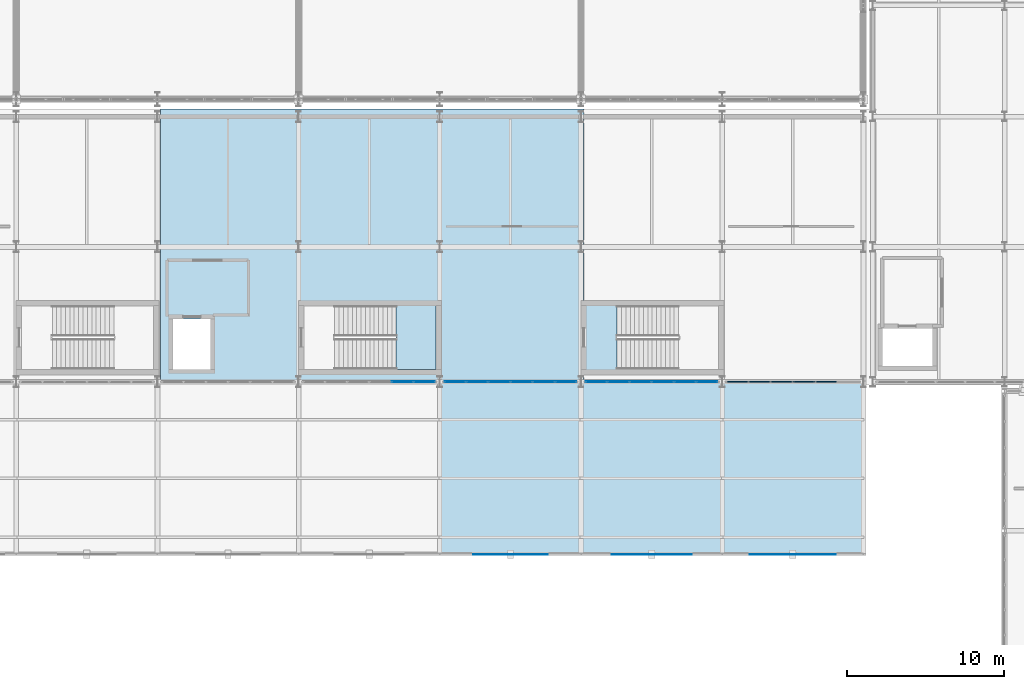
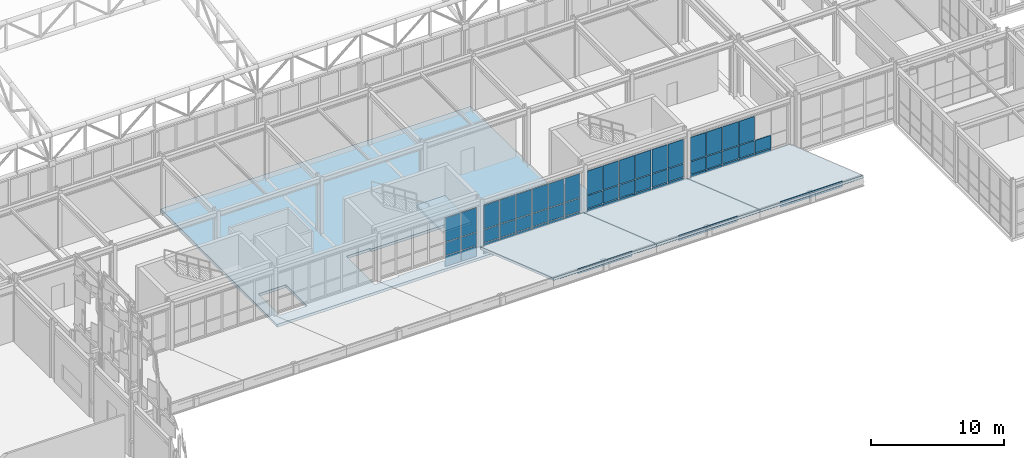
# One storey, part 183 of 239: 59 plates, 6 slabs, 6 elements without a shape of their own.
"""IFC4 building model written with IfcOpenShell, lengths in metres."""

from ifc_helpers import new_model, si_unit, direction, frame, origin, origin_2d, place, context, subcontext, project, spatial, polyline, rectangle, outline, extrude, material, layer, layer_set, type_object, element, aggregate, save


model = new_model("IFC4")

# Units and contexts
model_context = context("Model", 3, precision=1e-05, world=origin(), true_north=direction((0.0, 1.0)))
body_context = subcontext(model_context, "Body", "Model", "MODEL_VIEW")
ifc_project = project(units=[si_unit("LENGTHUNIT", "METRE"), si_unit("AREAUNIT", "SQUARE_METRE"), si_unit("VOLUMEUNIT", "CUBIC_METRE"), si_unit("PLANEANGLEUNIT", "RADIAN"), si_unit("MASSUNIT", "GRAM", prefix="KILO")], contexts=[model_context])

# Site, building, storey
site_placement = place(None, origin())
site = spatial("IfcSite", under=ifc_project, at=site_placement, CompositionType="ELEMENT")
building_placement = place(site_placement, origin())
building = spatial("IfcBuilding", under=site, at=building_placement, Name="Kaldris Quays Convention Centre", CompositionType="ELEMENT")
storey_placement = place(building_placement, frame((0.0, 0.0, 11.39990234375)))
storey = spatial("IfcBuildingStorey", under=building, at=storey_placement, Name="L02", CompositionType="ELEMENT", Elevation=11.39990234375)

# Curtain wall, plates
ifc_material_1 = material(Name="Anodized aluminium AW-6060 and triple glazing", Category="aluminium")
curtain_wall_type = type_object("IfcCurtainWallType", Name="UNITISED CURTAIN WALL CW04", PredefinedType="NOTDEFINED", material=ifc_material_1)
curtain_wall_1_placement = place(storey_placement, origin())
curtain_wall_1 = element("IfcCurtainWall", 1, at=curtain_wall_1_placement, inside=storey, type_object=curtain_wall_type, Name="L02 Unitised Curtain Wall CW04 117", PredefinedType="NOTDEFINED")
ifc_material_2 = material(Name="Triple low-E insulated glazing", Category="glass")
plate_type_1 = type_object("IfcPlateType", Name="CURTAIN GLAZING PANEL CWP5", PredefinedType="CURTAIN_PANEL", material=ifc_material_2)
plate_1_placement = place(storey_placement, frame((116.625, 38.0, 0.06005859375), z_axis=(0.0, 0.0, 1.0), x_axis=(1.0, 0.0, 0.0)))
plate_1 = element("IfcPlate", 2, at=plate_1_placement, type_object=plate_type_1, Name="CW04 panel 5.1", PredefinedType="CURTAIN_PANEL", context=body_context, shape_type="SweptSolid", body=[
    extrude(rectangle(XDim=1.356689453125, YDim=0.049072265625, at=origin_2d()), origin(), (0.0, 0.0, 1.0), 0.9599609375),
])
plate_2_placement = place(storey_placement, frame((116.625, 38.0, 1.080078125), z_axis=(0.0, 0.0, 1.0), x_axis=(1.0, 0.0, 0.0)))
plate_2 = element("IfcPlate", 3, at=plate_2_placement, type_object=plate_type_1, Name="CW04 panel 5.2", PredefinedType="CURTAIN_PANEL", context=body_context, shape_type="SweptSolid", body=[
    extrude(rectangle(XDim=1.356689453125, YDim=0.049072265625, at=origin_2d()), origin(), (0.0, 0.0, 1.0), 1.18994140625),
])
plate_3_placement = place(storey_placement, frame((116.625, 38.0, 2.330078125), z_axis=(0.0, 0.0, 1.0), x_axis=(1.0, 0.0, 0.0)))
plate_3 = element("IfcPlate", 4, at=plate_3_placement, type_object=plate_type_1, Name="CW04 panel 5.3", PredefinedType="CURTAIN_PANEL", context=body_context, shape_type="SweptSolid", body=[
    extrude(rectangle(XDim=1.356689453125, YDim=0.049072265625, at=origin_2d()), origin(), (0.0, 0.0, 1.0), 2.2099609375),
])
plate_4_placement = place(storey_placement, frame((118.026611328125, 38.0, 0.06005859375), z_axis=(0.0, 0.0, 1.0), x_axis=(1.0, 0.0, 0.0)))
plate_4 = element("IfcPlate", 5, at=plate_4_placement, type_object=plate_type_1, Name="CW04 panel 6.1", PredefinedType="CURTAIN_PANEL", context=body_context, shape_type="SweptSolid", body=[
    extrude(rectangle(XDim=1.32666015625, YDim=0.049072265625, at=origin_2d()), origin(), (0.0, 0.0, 1.0), 0.9599609375),
])
plate_5_placement = place(storey_placement, frame((118.026611328125, 38.0, 1.080078125), z_axis=(0.0, 0.0, 1.0), x_axis=(1.0, 0.0, 0.0)))
plate_5 = element("IfcPlate", 6, at=plate_5_placement, type_object=plate_type_1, Name="CW04 panel 6.2", PredefinedType="CURTAIN_PANEL", context=body_context, shape_type="SweptSolid", body=[
    extrude(rectangle(XDim=1.32666015625, YDim=0.049072265625, at=origin_2d()), origin(), (0.0, 0.0, 1.0), 1.18994140625),
])
plate_6_placement = place(storey_placement, frame((118.026611328125, 38.0, 2.330078125), z_axis=(0.0, 0.0, 1.0), x_axis=(1.0, 0.0, 0.0)))
plate_6 = element("IfcPlate", 7, at=plate_6_placement, type_object=plate_type_1, Name="CW04 panel 6.3", PredefinedType="CURTAIN_PANEL", context=body_context, shape_type="SweptSolid", body=[
    extrude(rectangle(XDim=1.32666015625, YDim=0.049072265625, at=origin_2d()), origin(), (0.0, 0.0, 1.0), 2.2099609375),
])
aggregate(curtain_wall_1, [plate_1, plate_2, plate_3, plate_4, plate_5, plate_6])

curtain_wall_2_placement = place(storey_placement, origin())
curtain_wall_2 = element("IfcCurtainWall", 8, at=curtain_wall_2_placement, inside=storey, type_object=curtain_wall_type, Name="L02 Unitised Curtain Wall CW04 118", PredefinedType="NOTDEFINED")
plate_type_2 = type_object("IfcPlateType", Name="CURTAIN GLAZING PANEL CWP6", PredefinedType="CURTAIN_PANEL", material=ifc_material_2)
plate_7_placement = place(storey_placement, frame((119.973388671875, 38.0, 0.06005859375), z_axis=(0.0, 0.0, 1.0), x_axis=(1.0, 0.0, 0.0)))
plate_7 = element("IfcPlate", 9, at=plate_7_placement, type_object=plate_type_2, Name="CW04 panel 1.1", PredefinedType="CURTAIN_PANEL", context=body_context, shape_type="SweptSolid", body=[
    extrude(rectangle(XDim=1.32666015625, YDim=0.053955078125, at=origin_2d()), origin(), (0.0, 0.0, 1.0), 0.9599609375),
])
plate_8_placement = place(storey_placement, frame((119.973388671875, 38.0, 1.080078125), z_axis=(0.0, 0.0, 1.0), x_axis=(1.0, 0.0, 0.0)))
plate_8 = element("IfcPlate", 10, at=plate_8_placement, type_object=plate_type_2, Name="CW04 panel 1.2", PredefinedType="CURTAIN_PANEL", context=body_context, shape_type="SweptSolid", body=[
    extrude(rectangle(XDim=1.32666015625, YDim=0.053955078125, at=origin_2d()), origin(), (0.0, 0.0, 1.0), 1.18994140625),
])
plate_9_placement = place(storey_placement, frame((119.973388671875, 38.0, 2.330078125), z_axis=(0.0, 0.0, 1.0), x_axis=(1.0, 0.0, 0.0)))
plate_9 = element("IfcPlate", 11, at=plate_9_placement, type_object=plate_type_2, Name="CW04 panel 1.3", PredefinedType="CURTAIN_PANEL", context=body_context, shape_type="SweptSolid", body=[
    extrude(rectangle(XDim=1.32666015625, YDim=0.053955078125, at=origin_2d()), origin(), (0.0, 0.0, 1.0), 2.2099609375),
])
plate_10_placement = place(storey_placement, frame((121.375, 38.0, 0.06005859375), z_axis=(0.0, 0.0, 1.0), x_axis=(1.0, 0.0, 0.0)))
plate_10 = element("IfcPlate", 12, at=plate_10_placement, type_object=plate_type_2, Name="CW04 panel 2.1", PredefinedType="CURTAIN_PANEL", context=body_context, shape_type="SweptSolid", body=[
    extrude(rectangle(XDim=1.356689453125, YDim=0.053955078125, at=origin_2d()), origin(), (0.0, 0.0, 1.0), 0.9599609375),
])
plate_11_placement = place(storey_placement, frame((121.375, 38.0, 1.080078125), z_axis=(0.0, 0.0, 1.0), x_axis=(1.0, 0.0, 0.0)))
plate_11 = element("IfcPlate", 13, at=plate_11_placement, type_object=plate_type_2, Name="CW04 panel 2.2", PredefinedType="CURTAIN_PANEL", context=body_context, shape_type="SweptSolid", body=[
    extrude(rectangle(XDim=1.356689453125, YDim=0.053955078125, at=origin_2d()), origin(), (0.0, 0.0, 1.0), 1.18994140625),
])
plate_12_placement = place(storey_placement, frame((121.375, 38.0, 2.330078125), z_axis=(0.0, 0.0, 1.0), x_axis=(1.0, 0.0, 0.0)))
plate_12 = element("IfcPlate", 14, at=plate_12_placement, type_object=plate_type_2, Name="CW04 panel 2.3", PredefinedType="CURTAIN_PANEL", context=body_context, shape_type="SweptSolid", body=[
    extrude(rectangle(XDim=1.356689453125, YDim=0.053955078125, at=origin_2d()), origin(), (0.0, 0.0, 1.0), 2.2099609375),
])
plate_13_placement = place(storey_placement, frame((122.791748046875, 38.0, 0.06005859375), z_axis=(0.0, 0.0, 1.0), x_axis=(1.0, 0.0, 0.0)))
plate_13 = element("IfcPlate", 15, at=plate_13_placement, type_object=plate_type_2, Name="CW04 panel 3.1", PredefinedType="CURTAIN_PANEL", context=body_context, shape_type="SweptSolid", body=[
    extrude(rectangle(XDim=1.356689453125, YDim=0.053955078125, at=origin_2d()), origin(), (0.0, 0.0, 1.0), 0.9599609375),
])
plate_14_placement = place(storey_placement, frame((122.791748046875, 38.0, 1.080078125), z_axis=(0.0, 0.0, 1.0), x_axis=(1.0, 0.0, 0.0)))
plate_14 = element("IfcPlate", 16, at=plate_14_placement, type_object=plate_type_2, Name="CW04 panel 3.2", PredefinedType="CURTAIN_PANEL", context=body_context, shape_type="SweptSolid", body=[
    extrude(rectangle(XDim=1.356689453125, YDim=0.053955078125, at=origin_2d()), origin(), (0.0, 0.0, 1.0), 1.18994140625),
])
plate_15_placement = place(storey_placement, frame((122.791748046875, 38.0, 2.330078125), z_axis=(0.0, 0.0, 1.0), x_axis=(1.0, 0.0, 0.0)))
plate_15 = element("IfcPlate", 17, at=plate_15_placement, type_object=plate_type_2, Name="CW04 panel 3.3", PredefinedType="CURTAIN_PANEL", context=body_context, shape_type="SweptSolid", body=[
    extrude(rectangle(XDim=1.356689453125, YDim=0.053955078125, at=origin_2d()), origin(), (0.0, 0.0, 1.0), 2.2099609375),
])
plate_16_placement = place(storey_placement, frame((124.208251953125, 38.0, 0.06005859375), z_axis=(0.0, 0.0, 1.0), x_axis=(1.0, 0.0, 0.0)))
plate_16 = element("IfcPlate", 18, at=plate_16_placement, type_object=plate_type_2, Name="CW04 panel 4.1", PredefinedType="CURTAIN_PANEL", context=body_context, shape_type="SweptSolid", body=[
    extrude(rectangle(XDim=1.356689453125, YDim=0.053955078125, at=origin_2d()), origin(), (0.0, 0.0, 1.0), 0.9599609375),
])
plate_17_placement = place(storey_placement, frame((124.208251953125, 38.0, 1.080078125), z_axis=(0.0, 0.0, 1.0), x_axis=(1.0, 0.0, 0.0)))
plate_17 = element("IfcPlate", 19, at=plate_17_placement, type_object=plate_type_2, Name="CW04 panel 4.2", PredefinedType="CURTAIN_PANEL", context=body_context, shape_type="SweptSolid", body=[
    extrude(rectangle(XDim=1.356689453125, YDim=0.053955078125, at=origin_2d()), origin(), (0.0, 0.0, 1.0), 1.18994140625),
])
plate_18_placement = place(storey_placement, frame((124.208251953125, 38.0, 2.330078125), z_axis=(0.0, 0.0, 1.0), x_axis=(1.0, 0.0, 0.0)))
plate_18 = element("IfcPlate", 20, at=plate_18_placement, type_object=plate_type_2, Name="CW04 panel 4.3", PredefinedType="CURTAIN_PANEL", context=body_context, shape_type="SweptSolid", body=[
    extrude(rectangle(XDim=1.356689453125, YDim=0.053955078125, at=origin_2d()), origin(), (0.0, 0.0, 1.0), 2.2099609375),
])
plate_19_placement = place(storey_placement, frame((125.625, 38.0, 0.06005859375), z_axis=(0.0, 0.0, 1.0), x_axis=(1.0, 0.0, 0.0)))
plate_19 = element("IfcPlate", 21, at=plate_19_placement, type_object=plate_type_2, Name="CW04 panel 5.1", PredefinedType="CURTAIN_PANEL", context=body_context, shape_type="SweptSolid", body=[
    extrude(rectangle(XDim=1.356689453125, YDim=0.053955078125, at=origin_2d()), origin(), (0.0, 0.0, 1.0), 0.9599609375),
])
plate_20_placement = place(storey_placement, frame((125.625, 38.0, 1.080078125), z_axis=(0.0, 0.0, 1.0), x_axis=(1.0, 0.0, 0.0)))
plate_20 = element("IfcPlate", 22, at=plate_20_placement, type_object=plate_type_2, Name="CW04 panel 5.2", PredefinedType="CURTAIN_PANEL", context=body_context, shape_type="SweptSolid", body=[
    extrude(rectangle(XDim=1.356689453125, YDim=0.053955078125, at=origin_2d()), origin(), (0.0, 0.0, 1.0), 1.18994140625),
])
plate_21_placement = place(storey_placement, frame((125.625, 38.0, 2.330078125), z_axis=(0.0, 0.0, 1.0), x_axis=(1.0, 0.0, 0.0)))
plate_21 = element("IfcPlate", 23, at=plate_21_placement, type_object=plate_type_2, Name="CW04 panel 5.3", PredefinedType="CURTAIN_PANEL", context=body_context, shape_type="SweptSolid", body=[
    extrude(rectangle(XDim=1.356689453125, YDim=0.053955078125, at=origin_2d()), origin(), (0.0, 0.0, 1.0), 2.2099609375),
])
plate_22_placement = place(storey_placement, frame((127.026611328125, 38.0, 0.06005859375), z_axis=(0.0, 0.0, 1.0), x_axis=(1.0, 0.0, 0.0)))
plate_22 = element("IfcPlate", 24, at=plate_22_placement, type_object=plate_type_2, Name="CW04 panel 6.1", PredefinedType="CURTAIN_PANEL", context=body_context, shape_type="SweptSolid", body=[
    extrude(rectangle(XDim=1.32666015625, YDim=0.053955078125, at=origin_2d()), origin(), (0.0, 0.0, 1.0), 0.9599609375),
])
plate_23_placement = place(storey_placement, frame((127.026611328125, 38.0, 1.080078125), z_axis=(0.0, 0.0, 1.0), x_axis=(1.0, 0.0, 0.0)))
plate_23 = element("IfcPlate", 25, at=plate_23_placement, type_object=plate_type_2, Name="CW04 panel 6.2", PredefinedType="CURTAIN_PANEL", context=body_context, shape_type="SweptSolid", body=[
    extrude(rectangle(XDim=1.32666015625, YDim=0.053955078125, at=origin_2d()), origin(), (0.0, 0.0, 1.0), 1.18994140625),
])
plate_24_placement = place(storey_placement, frame((127.026611328125, 38.0, 2.330078125), z_axis=(0.0, 0.0, 1.0), x_axis=(1.0, 0.0, 0.0)))
plate_24 = element("IfcPlate", 26, at=plate_24_placement, type_object=plate_type_2, Name="CW04 panel 6.3", PredefinedType="CURTAIN_PANEL", context=body_context, shape_type="SweptSolid", body=[
    extrude(rectangle(XDim=1.32666015625, YDim=0.053955078125, at=origin_2d()), origin(), (0.0, 0.0, 1.0), 2.2099609375),
])
aggregate(curtain_wall_2, [plate_7, plate_8, plate_9, plate_10, plate_11, plate_12, plate_13, plate_14, plate_15, plate_16, plate_17, plate_18, plate_19, plate_20, plate_21, plate_22, plate_23, plate_24])

curtain_wall_3_placement = place(storey_placement, origin())
curtain_wall_3 = element("IfcCurtainWall", 27, at=curtain_wall_3_placement, inside=storey, type_object=curtain_wall_type, Name="L02 Unitised Curtain Wall CW04 119", PredefinedType="NOTDEFINED")
plate_type_3 = type_object("IfcPlateType", Name="CURTAIN GLAZING PANEL CWP7", PredefinedType="CURTAIN_PANEL", material=ifc_material_2)
plate_25_placement = place(storey_placement, frame((128.973388671875, 38.0, 0.06005859375), z_axis=(0.0, 0.0, 1.0), x_axis=(1.0, 0.0, 0.0)))
plate_25 = element("IfcPlate", 28, at=plate_25_placement, type_object=plate_type_3, Name="CW04 panel 1.1", PredefinedType="CURTAIN_PANEL", context=body_context, shape_type="SweptSolid", body=[
    extrude(rectangle(XDim=1.32666015625, YDim=0.05908203125, at=origin_2d()), origin(), (0.0, 0.0, 1.0), 0.9599609375),
])
plate_26_placement = place(storey_placement, frame((128.973388671875, 38.0, 1.080078125), z_axis=(0.0, 0.0, 1.0), x_axis=(1.0, 0.0, 0.0)))
plate_26 = element("IfcPlate", 29, at=plate_26_placement, type_object=plate_type_3, Name="CW04 panel 1.2", PredefinedType="CURTAIN_PANEL", context=body_context, shape_type="SweptSolid", body=[
    extrude(rectangle(XDim=1.32666015625, YDim=0.05908203125, at=origin_2d()), origin(), (0.0, 0.0, 1.0), 1.18994140625),
])
plate_27_placement = place(storey_placement, frame((128.973388671875, 38.0, 2.330078125), z_axis=(0.0, 0.0, 1.0), x_axis=(1.0, 0.0, 0.0)))
plate_27 = element("IfcPlate", 30, at=plate_27_placement, type_object=plate_type_3, Name="CW04 panel 1.3", PredefinedType="CURTAIN_PANEL", context=body_context, shape_type="SweptSolid", body=[
    extrude(rectangle(XDim=1.32666015625, YDim=0.05908203125, at=origin_2d()), origin(), (0.0, 0.0, 1.0), 2.2099609375),
])
plate_28_placement = place(storey_placement, frame((130.375, 38.0, 0.06005859375), z_axis=(0.0, 0.0, 1.0), x_axis=(1.0, 0.0, 0.0)))
plate_28 = element("IfcPlate", 31, at=plate_28_placement, type_object=plate_type_3, Name="CW04 panel 2.1", PredefinedType="CURTAIN_PANEL", context=body_context, shape_type="SweptSolid", body=[
    extrude(rectangle(XDim=1.356689453125, YDim=0.05908203125, at=origin_2d()), origin(), (0.0, 0.0, 1.0), 0.9599609375),
])
plate_29_placement = place(storey_placement, frame((130.375, 38.0, 1.080078125), z_axis=(0.0, 0.0, 1.0), x_axis=(1.0, 0.0, 0.0)))
plate_29 = element("IfcPlate", 32, at=plate_29_placement, type_object=plate_type_3, Name="CW04 panel 2.2", PredefinedType="CURTAIN_PANEL", context=body_context, shape_type="SweptSolid", body=[
    extrude(rectangle(XDim=1.356689453125, YDim=0.05908203125, at=origin_2d()), origin(), (0.0, 0.0, 1.0), 1.18994140625),
])
plate_30_placement = place(storey_placement, frame((130.375, 38.0, 2.330078125), z_axis=(0.0, 0.0, 1.0), x_axis=(1.0, 0.0, 0.0)))
plate_30 = element("IfcPlate", 33, at=plate_30_placement, type_object=plate_type_3, Name="CW04 panel 2.3", PredefinedType="CURTAIN_PANEL", context=body_context, shape_type="SweptSolid", body=[
    extrude(rectangle(XDim=1.356689453125, YDim=0.05908203125, at=origin_2d()), origin(), (0.0, 0.0, 1.0), 2.2099609375),
])
plate_31_placement = place(storey_placement, frame((131.791748046875, 38.0, 0.06005859375), z_axis=(0.0, 0.0, 1.0), x_axis=(1.0, 0.0, 0.0)))
plate_31 = element("IfcPlate", 34, at=plate_31_placement, type_object=plate_type_3, Name="CW04 panel 3.1", PredefinedType="CURTAIN_PANEL", context=body_context, shape_type="SweptSolid", body=[
    extrude(rectangle(XDim=1.356689453125, YDim=0.05908203125, at=origin_2d()), origin(), (0.0, 0.0, 1.0), 0.9599609375),
])
plate_32_placement = place(storey_placement, frame((131.791748046875, 38.0, 1.080078125), z_axis=(0.0, 0.0, 1.0), x_axis=(1.0, 0.0, 0.0)))
plate_32 = element("IfcPlate", 35, at=plate_32_placement, type_object=plate_type_3, Name="CW04 panel 3.2", PredefinedType="CURTAIN_PANEL", context=body_context, shape_type="SweptSolid", body=[
    extrude(rectangle(XDim=1.356689453125, YDim=0.05908203125, at=origin_2d()), origin(), (0.0, 0.0, 1.0), 1.18994140625),
])
plate_33_placement = place(storey_placement, frame((131.791748046875, 38.0, 2.330078125), z_axis=(0.0, 0.0, 1.0), x_axis=(1.0, 0.0, 0.0)))
plate_33 = element("IfcPlate", 36, at=plate_33_placement, type_object=plate_type_3, Name="CW04 panel 3.3", PredefinedType="CURTAIN_PANEL", context=body_context, shape_type="SweptSolid", body=[
    extrude(rectangle(XDim=1.356689453125, YDim=0.05908203125, at=origin_2d()), origin(), (0.0, 0.0, 1.0), 2.2099609375),
])
plate_34_placement = place(storey_placement, frame((133.208251953125, 38.0, 0.06005859375), z_axis=(0.0, 0.0, 1.0), x_axis=(1.0, 0.0, 0.0)))
plate_34 = element("IfcPlate", 37, at=plate_34_placement, type_object=plate_type_3, Name="CW04 panel 4.1", PredefinedType="CURTAIN_PANEL", context=body_context, shape_type="SweptSolid", body=[
    extrude(rectangle(XDim=1.356689453125, YDim=0.05908203125, at=origin_2d()), origin(), (0.0, 0.0, 1.0), 0.9599609375),
])
plate_35_placement = place(storey_placement, frame((133.208251953125, 38.0, 1.080078125), z_axis=(0.0, 0.0, 1.0), x_axis=(1.0, 0.0, 0.0)))
plate_35 = element("IfcPlate", 38, at=plate_35_placement, type_object=plate_type_3, Name="CW04 panel 4.2", PredefinedType="CURTAIN_PANEL", context=body_context, shape_type="SweptSolid", body=[
    extrude(rectangle(XDim=1.356689453125, YDim=0.05908203125, at=origin_2d()), origin(), (0.0, 0.0, 1.0), 1.18994140625),
])
plate_36_placement = place(storey_placement, frame((133.208251953125, 38.0, 2.330078125), z_axis=(0.0, 0.0, 1.0), x_axis=(1.0, 0.0, 0.0)))
plate_36 = element("IfcPlate", 39, at=plate_36_placement, type_object=plate_type_3, Name="CW04 panel 4.3", PredefinedType="CURTAIN_PANEL", context=body_context, shape_type="SweptSolid", body=[
    extrude(rectangle(XDim=1.356689453125, YDim=0.05908203125, at=origin_2d()), origin(), (0.0, 0.0, 1.0), 2.2099609375),
])
plate_37_placement = place(storey_placement, frame((134.625, 38.0, 0.06005859375), z_axis=(0.0, 0.0, 1.0), x_axis=(1.0, 0.0, 0.0)))
plate_37 = element("IfcPlate", 40, at=plate_37_placement, type_object=plate_type_3, Name="CW04 panel 5.1", PredefinedType="CURTAIN_PANEL", context=body_context, shape_type="SweptSolid", body=[
    extrude(rectangle(XDim=1.356689453125, YDim=0.05908203125, at=origin_2d()), origin(), (0.0, 0.0, 1.0), 0.9599609375),
])
plate_38_placement = place(storey_placement, frame((134.625, 38.0, 1.080078125), z_axis=(0.0, 0.0, 1.0), x_axis=(1.0, 0.0, 0.0)))
plate_38 = element("IfcPlate", 41, at=plate_38_placement, type_object=plate_type_3, Name="CW04 panel 5.2", PredefinedType="CURTAIN_PANEL", context=body_context, shape_type="SweptSolid", body=[
    extrude(rectangle(XDim=1.356689453125, YDim=0.05908203125, at=origin_2d()), origin(), (0.0, 0.0, 1.0), 1.18994140625),
])
plate_39_placement = place(storey_placement, frame((134.625, 38.0, 2.330078125), z_axis=(0.0, 0.0, 1.0), x_axis=(1.0, 0.0, 0.0)))
plate_39 = element("IfcPlate", 42, at=plate_39_placement, type_object=plate_type_3, Name="CW04 panel 5.3", PredefinedType="CURTAIN_PANEL", context=body_context, shape_type="SweptSolid", body=[
    extrude(rectangle(XDim=1.356689453125, YDim=0.05908203125, at=origin_2d()), origin(), (0.0, 0.0, 1.0), 2.2099609375),
])
plate_40_placement = place(storey_placement, frame((136.026611328125, 38.0, 0.06005859375), z_axis=(0.0, 0.0, 1.0), x_axis=(1.0, 0.0, 0.0)))
plate_40 = element("IfcPlate", 43, at=plate_40_placement, type_object=plate_type_3, Name="CW04 panel 6.1", PredefinedType="CURTAIN_PANEL", context=body_context, shape_type="SweptSolid", body=[
    extrude(rectangle(XDim=1.32666015625, YDim=0.05908203125, at=origin_2d()), origin(), (0.0, 0.0, 1.0), 0.9599609375),
])
plate_41_placement = place(storey_placement, frame((136.026611328125, 38.0, 1.080078125), z_axis=(0.0, 0.0, 1.0), x_axis=(1.0, 0.0, 0.0)))
plate_41 = element("IfcPlate", 44, at=plate_41_placement, type_object=plate_type_3, Name="CW04 panel 6.2", PredefinedType="CURTAIN_PANEL", context=body_context, shape_type="SweptSolid", body=[
    extrude(rectangle(XDim=1.32666015625, YDim=0.05908203125, at=origin_2d()), origin(), (0.0, 0.0, 1.0), 1.18994140625),
])
plate_42_placement = place(storey_placement, frame((136.026611328125, 38.0, 2.330078125), z_axis=(0.0, 0.0, 1.0), x_axis=(1.0, 0.0, 0.0)))
plate_42 = element("IfcPlate", 45, at=plate_42_placement, type_object=plate_type_3, Name="CW04 panel 6.3", PredefinedType="CURTAIN_PANEL", context=body_context, shape_type="SweptSolid", body=[
    extrude(rectangle(XDim=1.32666015625, YDim=0.05908203125, at=origin_2d()), origin(), (0.0, 0.0, 1.0), 2.2099609375),
])
aggregate(curtain_wall_3, [plate_25, plate_26, plate_27, plate_28, plate_29, plate_30, plate_31, plate_32, plate_33, plate_34, plate_35, plate_36, plate_37, plate_38, plate_39, plate_40, plate_41, plate_42])

curtain_wall_4_placement = place(storey_placement, origin())
curtain_wall_4 = element("IfcCurtainWall", 46, at=curtain_wall_4_placement, inside=storey, type_object=curtain_wall_type, Name="L02 Unitised Curtain Wall CW04 120", PredefinedType="NOTDEFINED")
plate_type_4 = type_object("IfcPlateType", Name="CURTAIN GLAZING PANEL CWP8", PredefinedType="CURTAIN_PANEL", material=ifc_material_2)
plate_43_placement = place(storey_placement, frame((137.973388671875, 38.0, 0.06005859375), z_axis=(0.0, 0.0, 1.0), x_axis=(1.0, 0.0, 0.0)))
plate_43 = element("IfcPlate", 47, at=plate_43_placement, type_object=plate_type_4, Name="CW04 panel 1.1", PredefinedType="CURTAIN_PANEL", context=body_context, shape_type="SweptSolid", body=[
    extrude(rectangle(XDim=1.32666015625, YDim=0.06396484375, at=origin_2d()), origin(), (0.0, 0.0, 1.0), 0.9599609375),
])
plate_44_placement = place(storey_placement, frame((137.973388671875, 38.0, 1.080078125), z_axis=(0.0, 0.0, 1.0), x_axis=(1.0, 0.0, 0.0)))
plate_44 = element("IfcPlate", 48, at=plate_44_placement, type_object=plate_type_4, Name="CW04 panel 1.2", PredefinedType="CURTAIN_PANEL", context=body_context, shape_type="SweptSolid", body=[
    extrude(rectangle(XDim=1.32666015625, YDim=0.06396484375, at=origin_2d()), origin(), (0.0, 0.0, 1.0), 1.1640625),
])
plate_45_placement = place(storey_placement, frame((137.973388671875, 38.0, 2.303955078125), z_axis=(0.0, 0.0, 1.0), x_axis=(1.0, 0.0, 0.0)))
plate_45 = element("IfcPlate", 49, at=plate_45_placement, type_object=plate_type_4, Name="CW04 panel 1.3", PredefinedType="CURTAIN_PANEL", context=body_context, shape_type="SweptSolid", body=[
    extrude(rectangle(XDim=1.32666015625, YDim=0.06396484375, at=origin_2d()), origin(), (0.0, 0.0, 1.0), 2.18408203125),
])
plate_46_placement = place(storey_placement, frame((139.375, 38.0, 0.06005859375), z_axis=(0.0, 0.0, 1.0), x_axis=(1.0, 0.0, 0.0)))
plate_46 = element("IfcPlate", 50, at=plate_46_placement, type_object=plate_type_4, Name="CW04 panel 2.1", PredefinedType="CURTAIN_PANEL", context=body_context, shape_type="SweptSolid", body=[
    extrude(rectangle(XDim=1.356689453125, YDim=0.06396484375, at=origin_2d()), origin(), (0.0, 0.0, 1.0), 0.9599609375),
])
plate_47_placement = place(storey_placement, frame((139.375, 38.0, 1.080078125), z_axis=(0.0, 0.0, 1.0), x_axis=(1.0, 0.0, 0.0)))
plate_47 = element("IfcPlate", 51, at=plate_47_placement, type_object=plate_type_4, Name="CW04 panel 2.2", PredefinedType="CURTAIN_PANEL", context=body_context, shape_type="SweptSolid", body=[
    extrude(rectangle(XDim=1.356689453125, YDim=0.06396484375, at=origin_2d()), origin(), (0.0, 0.0, 1.0), 1.1640625),
])
plate_48_placement = place(storey_placement, frame((139.375, 38.0, 2.303955078125), z_axis=(0.0, 0.0, 1.0), x_axis=(1.0, 0.0, 0.0)))
plate_48 = element("IfcPlate", 52, at=plate_48_placement, type_object=plate_type_4, Name="CW04 panel 2.3", PredefinedType="CURTAIN_PANEL", context=body_context, shape_type="SweptSolid", body=[
    extrude(rectangle(XDim=1.356689453125, YDim=0.06396484375, at=origin_2d()), origin(), (0.0, 0.0, 1.0), 2.18408203125),
])
plate_49_placement = place(storey_placement, frame((140.791748046875, 38.0, 0.06005859375), z_axis=(0.0, 0.0, 1.0), x_axis=(1.0, 0.0, 0.0)))
plate_49 = element("IfcPlate", 53, at=plate_49_placement, type_object=plate_type_4, Name="CW04 panel 3.1", PredefinedType="CURTAIN_PANEL", context=body_context, shape_type="SweptSolid", body=[
    extrude(rectangle(XDim=1.356689453125, YDim=0.06396484375, at=origin_2d()), origin(), (0.0, 0.0, 1.0), 0.9599609375),
])
plate_50_placement = place(storey_placement, frame((140.791748046875, 38.0, 1.080078125), z_axis=(0.0, 0.0, 1.0), x_axis=(1.0, 0.0, 0.0)))
plate_50 = element("IfcPlate", 54, at=plate_50_placement, type_object=plate_type_4, Name="CW04 panel 3.2", PredefinedType="CURTAIN_PANEL", context=body_context, shape_type="SweptSolid", body=[
    extrude(rectangle(XDim=1.356689453125, YDim=0.06396484375, at=origin_2d()), origin(), (0.0, 0.0, 1.0), 1.1640625),
])
plate_51_placement = place(storey_placement, frame((140.791748046875, 38.0, 2.303955078125), z_axis=(0.0, 0.0, 1.0), x_axis=(1.0, 0.0, 0.0)))
plate_51 = element("IfcPlate", 55, at=plate_51_placement, type_object=plate_type_4, Name="CW04 panel 3.3", PredefinedType="CURTAIN_PANEL", context=body_context, shape_type="SweptSolid", body=[
    extrude(rectangle(XDim=1.356689453125, YDim=0.06396484375, at=origin_2d()), origin(), (0.0, 0.0, 1.0), 2.18408203125),
])
plate_52_placement = place(storey_placement, frame((142.208251953125, 38.0, 0.06005859375), z_axis=(0.0, 0.0, 1.0), x_axis=(1.0, 0.0, 0.0)))
plate_52 = element("IfcPlate", 56, at=plate_52_placement, type_object=plate_type_4, Name="CW04 panel 4.1", PredefinedType="CURTAIN_PANEL", context=body_context, shape_type="SweptSolid", body=[
    extrude(rectangle(XDim=1.356689453125, YDim=0.06396484375, at=origin_2d()), origin(), (0.0, 0.0, 1.0), 0.9599609375),
])
plate_53_placement = place(storey_placement, frame((142.208251953125, 38.0, 1.080078125), z_axis=(0.0, 0.0, 1.0), x_axis=(1.0, 0.0, 0.0)))
plate_53 = element("IfcPlate", 57, at=plate_53_placement, type_object=plate_type_4, Name="CW04 panel 4.2", PredefinedType="CURTAIN_PANEL", context=body_context, shape_type="SweptSolid", body=[
    extrude(rectangle(XDim=1.356689453125, YDim=0.06396484375, at=origin_2d()), origin(), (0.0, 0.0, 1.0), 1.1640625),
])
plate_54_placement = place(storey_placement, frame((142.208251953125, 38.0, 2.303955078125), z_axis=(0.0, 0.0, 1.0), x_axis=(1.0, 0.0, 0.0)))
plate_54 = element("IfcPlate", 58, at=plate_54_placement, type_object=plate_type_4, Name="CW04 panel 4.3", PredefinedType="CURTAIN_PANEL", context=body_context, shape_type="SweptSolid", body=[
    extrude(rectangle(XDim=1.356689453125, YDim=0.06396484375, at=origin_2d()), origin(), (0.0, 0.0, 1.0), 2.18408203125),
])
plate_55_placement = place(storey_placement, frame((143.625, 38.0, 0.06005859375), z_axis=(0.0, 0.0, 1.0), x_axis=(1.0, 0.0, 0.0)))
plate_55 = element("IfcPlate", 59, at=plate_55_placement, type_object=plate_type_4, Name="CW04 panel 5.1", PredefinedType="CURTAIN_PANEL", context=body_context, shape_type="SweptSolid", body=[
    extrude(rectangle(XDim=1.356689453125, YDim=0.06396484375, at=origin_2d()), origin(), (0.0, 0.0, 1.0), 0.9599609375),
])
plate_56_placement = place(storey_placement, frame((143.625, 38.0, 1.080078125), z_axis=(0.0, 0.0, 1.0), x_axis=(1.0, 0.0, 0.0)))
plate_56 = element("IfcPlate", 60, at=plate_56_placement, type_object=plate_type_4, Name="CW04 panel 5.2", PredefinedType="CURTAIN_PANEL", context=body_context, shape_type="SweptSolid", body=[
    extrude(rectangle(XDim=1.356689453125, YDim=0.06396484375, at=origin_2d()), origin(), (0.0, 0.0, 1.0), 1.1640625),
])
aggregate(curtain_wall_4, [plate_43, plate_44, plate_45, plate_46, plate_47, plate_48, plate_49, plate_50, plate_51, plate_52, plate_53, plate_54, plate_55, plate_56])

# Stair, slab
ifc_material_3 = material(Name="Concrete C35/45", Category="concrete")
stair_type = type_object("IfcStairType", Name="DOGLEG ESCAPE STAIR STF1", PredefinedType="TWO_STRAIGHT_RUN_STAIR", material=ifc_material_3)
stair_placement = place(storey_placement, origin())
stair = element("IfcStair", 61, at=stair_placement, inside=storey, type_object=stair_type, Name="L02 Escape Stair ST13", PredefinedType="TWO_STRAIGHT_RUN_STAIR")
ifc_layer_1 = layer(ifc_material_3, 0.205078125)
ifc_layer_set_1 = layer_set([ifc_layer_1], Name="Concrete C35/45")
slab_type_1 = type_object("IfcSlabType", Name="STAIR LANDING SLAB LS01", PredefinedType="LANDING", material=ifc_layer_set_1)
slab_1_placement = place(storey_placement, frame((0.0, 0.0, 2.4951171875)))
slab_1 = element("IfcSlab", 62, at=slab_1_placement, type_object=slab_type_1, Name="STF1 landing 1", PredefinedType="LANDING", context=body_context, shape_type="SweptSolid", body=[
    extrude(outline(polyline([(116.219970703125, 38.800048828125), (118.75, 38.800048828125), (118.75, 42.85009765625), (116.219970703125, 42.85009765625), (116.219970703125, 38.800048828125)])), origin(), (0.0, 0.0, 1.0), 0.205078125),
])
aggregate(stair, [slab_1])

# Slabs
ifc_layer_2 = layer(ifc_material_3, 0.27490234375)
ifc_layer_set_2 = layer_set([ifc_layer_2], Name="Concrete C35/45")
slab_type_2 = type_object("IfcSlabType", Name="STRUCTURAL SLAB FS05", PredefinedType="FLOOR", material=ifc_layer_set_2)
slab_2_placement = place(storey_placement, frame((0.0, 0.0, -0.27490234375)))
element("IfcSlab", 63, at=slab_2_placement, inside=storey, type_object=slab_type_2, Name="L02 ST12 Core Floor Landing Slab", PredefinedType="FLOOR", context=body_context, shape_type="SweptSolid", body=[
    extrude(outline(polyline([(128.22998046875, 38.679931640625), (130.300048828125, 38.679931640625), (130.300048828125, 42.969970703125), (128.22998046875, 42.969970703125), (128.22998046875, 38.679931640625)])), origin(), (0.0, 0.0, 1.0), 0.27490234375),
])
ifc_layer_3 = layer(ifc_material_3, 0.2548828125)
ifc_layer_set_3 = layer_set([ifc_layer_3], Name="Concrete C35/45")
slab_type_3 = type_object("IfcSlabType", Name="STRUCTURAL SLAB FS06", PredefinedType="FLOOR", material=ifc_layer_set_3)
slab_3_placement = place(storey_placement, frame((0.0, 0.0, -0.2548828125)))
element("IfcSlab", 64, at=slab_3_placement, inside=storey, type_object=slab_type_3, Name="L02 V4 L02 South 2 SLAB-L02-V4S-2", PredefinedType="FLOOR", context=body_context, shape_type="SweptSolid", body=[
    extrude(outline(polyline([(128.199951171875, 55.375), (128.199951171875, 37.800048828125), (101.201904296875, 37.800048828125), (101.201904296875, 55.375), (128.199951171875, 55.375)]), holes=[polyline([(104.39990234375, 38.800048828125), (104.39990234375, 42.0), (102.0, 42.0), (102.0, 38.800048828125), (104.39990234375, 38.800048828125)]), polyline([(110.228271484375, 42.970703125), (110.22900390625, 38.67822265625), (112.30029296875, 38.677978515625), (112.302001953125, 38.800048828125), (118.75, 38.800048828125), (118.75, 42.85009765625), (112.302001953125, 42.85009765625), (112.30029296875, 42.971923828125), (110.228271484375, 42.970703125)])]), origin(), (0.0, 0.0, 1.0), 0.2548828125),
])

# Roof, slabs
ifc_material_4 = material(Name="Steel S355J2", Category="steel")
ifc_layer_4 = layer(ifc_material_4, 0.196044921875)
ifc_layer_set_4 = layer_set([ifc_layer_4], Name="Steel S355J2")
roof_type = type_object("IfcRoofType", Name="WING SHED ROOF RF02", PredefinedType="SHED_ROOF", material=ifc_layer_set_4)
roof_placement = place(storey_placement, origin())
roof = element("IfcRoof", 65, at=roof_placement, inside=storey, type_object=roof_type, Name="Rhine Promenade Arrival Foyer Raised Wing Canopy", PredefinedType="SHED_ROOF")
ifc_layer_5 = layer(ifc_material_4, 0.196044921875)
ifc_layer_set_5 = layer_set([ifc_layer_5], Name="Steel S355J2")
slab_type_4 = type_object("IfcSlabType", Name="STRUCTURAL SLAB WR01", PredefinedType="ROOF", material=ifc_layer_set_5)
slab_4_placement = place(storey_placement, frame((119.0, 27.0, 4.587646484375), z_axis=(0.0, 0.325567686474, 0.945518736739), x_axis=(1.0, 0.0, 0.0)))
slab_4 = element("IfcSlab", 66, at=slab_4_placement, type_object=slab_type_4, Name="WR-SOUTH-ENTRY Tilted Wing Roof Slab 5", PredefinedType="ROOF", context=body_context, shape_type="SweptSolid", body=[
    extrude(outline(polyline([(0.0, 0.0), (9.0, 0.0), (9.0, 11.633825510365472), (0.0, 11.633825510365472), (0.0, 0.0)])), origin(), (0.0, 0.0, -1.0), 0.196044921875),
])
slab_5_placement = place(storey_placement, frame((128.0, 27.0, 4.587646484375), z_axis=(0.0, 0.325567686474, 0.945518736739), x_axis=(1.0, 0.0, 0.0)))
slab_5 = element("IfcSlab", 67, at=slab_5_placement, type_object=slab_type_4, Name="WR-SOUTH-ENTRY Tilted Wing Roof Slab 6", PredefinedType="ROOF", context=body_context, shape_type="SweptSolid", body=[
    extrude(outline(polyline([(0.0, 0.0), (9.0, 0.0), (9.0, 11.633825510365472), (0.0, 11.633825510365472), (0.0, 0.0)])), origin(), (0.0, 0.0, -1.0), 0.196044921875),
])
slab_6_placement = place(storey_placement, frame((137.0, 27.0, 4.587646484375), z_axis=(0.0, 0.325567686474, 0.945518736739), x_axis=(1.0, 0.0, 0.0)))
slab_6 = element("IfcSlab", 68, at=slab_6_placement, type_object=slab_type_4, Name="WR-SOUTH-ENTRY Tilted Wing Roof Slab 7", PredefinedType="ROOF", context=body_context, shape_type="SweptSolid", body=[
    extrude(outline(polyline([(0.0, 0.0), (9.0, 0.0), (9.0, 11.633825510365472), (0.0, 11.633825510365472), (0.0, 0.0)])), origin(), (0.0, 0.0, -1.0), 0.196044921875),
])
aggregate(roof, [slab_4, slab_5, slab_6])

# Plates
ifc_material_5 = material(Name="Alabaster white star-pierced anodized aluminium panel", Category="aluminium")
plate_type_5 = type_object("IfcPlateType", Name="WING EAVE FASCIA SHEET FP04", PredefinedType="SHEET", material=ifc_material_5)
plate_57_placement = place(storey_placement, frame((123.5, 27.0, 4.207763671875), z_axis=(0.0, 0.0, 1.0), x_axis=(1.0, 0.0, 0.0)))
element("IfcPlate", 69, at=plate_57_placement, inside=storey, type_object=plate_type_5, Name="WR-SOUTH-ENTRY Wing Eave Fascia Sheet FP04 14", PredefinedType="SHEET", context=body_context, shape_type="SweptSolid", body=[
    extrude(rectangle(XDim=4.739990234375, YDim=0.013916015625, at=origin_2d()), origin(), (0.0, 0.0, 1.0), 0.47998046875),
])
plate_type_6 = type_object("IfcPlateType", Name="WING EAVE FASCIA SHEET FP05", PredefinedType="SHEET", material=ifc_material_5)
plate_58_placement = place(storey_placement, frame((132.5, 27.0, 4.1904296875), z_axis=(0.0, 0.0, 1.0), x_axis=(1.0, 0.0, 0.0)))
element("IfcPlate", 70, at=plate_58_placement, inside=storey, type_object=plate_type_6, Name="WR-SOUTH-ENTRY Wing Eave Fascia Sheet FP05 15", PredefinedType="SHEET", context=body_context, shape_type="SweptSolid", body=[
    extrude(rectangle(XDim=5.10009765625, YDim=0.01611328125, at=origin_2d()), origin(), (0.0, 0.0, 1.0), 0.514892578125),
])
plate_type_7 = type_object("IfcPlateType", Name="WING EAVE FASCIA SHEET FP06", PredefinedType="SHEET", material=ifc_material_5)
plate_59_placement = place(storey_placement, frame((141.5, 27.0, 4.1728515625), z_axis=(0.0, 0.0, 1.0), x_axis=(1.0, 0.0, 0.0)))
element("IfcPlate", 71, at=plate_59_placement, inside=storey, type_object=plate_type_7, Name="WR-SOUTH-ENTRY Wing Eave Fascia Sheet FP06 16", PredefinedType="SHEET", context=body_context, shape_type="SweptSolid", body=[
    extrude(rectangle(XDim=5.4599609375, YDim=0.01806640625, at=origin_2d()), origin(), (0.0, 0.0, 1.0), 0.550048828125),
])

save(model, "model.ifc")
